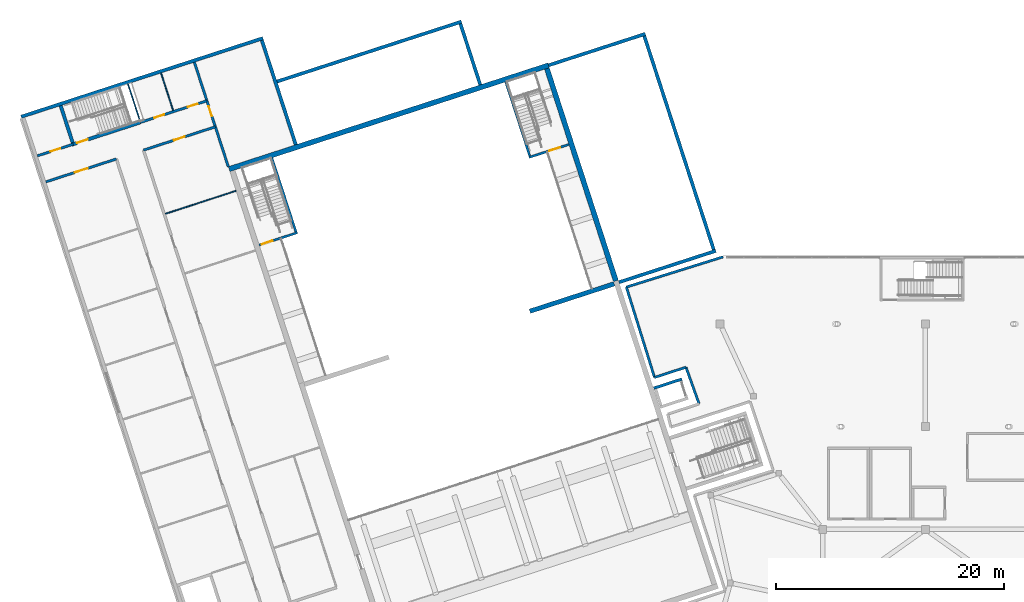
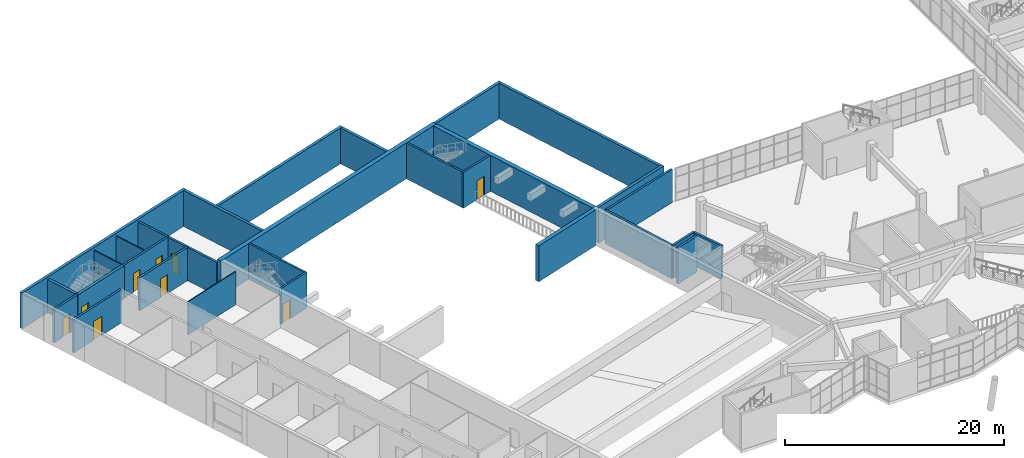
# One storey, part 54 of 66: 29 walls, 9 doors, 9 openings.
"""IFC4 building model written with IfcOpenShell, lengths in metres."""

from ifc_helpers import new_model, si_unit, direction, frame, frame_2d, origin, place, context, subcontext, project, spatial, rectangle, extrude, material, layer, layer_set, type_object, element, fill, save


model = new_model("IFC4")

# Units and contexts
model_context = context("Model", 3, precision=1e-05, world=origin(), true_north=direction((0.0, 1.0)))
body_context = subcontext(model_context, "Body", "Model", "MODEL_VIEW")
ifc_project = project(units=[si_unit("LENGTHUNIT", "METRE"), si_unit("AREAUNIT", "SQUARE_METRE"), si_unit("VOLUMEUNIT", "CUBIC_METRE"), si_unit("PLANEANGLEUNIT", "RADIAN"), si_unit("MASSUNIT", "GRAM", prefix="KILO")], contexts=[model_context])

# Site, building, storey
site_placement = place(None, origin())
site = spatial("IfcSite", under=ifc_project, at=site_placement, CompositionType="ELEMENT")
building_placement = place(site_placement, origin())
building = spatial("IfcBuilding", under=site, at=building_placement, Name="Tuart Plaza Theatre", CompositionType="ELEMENT")
storey_placement = place(building_placement, frame((0.0, 0.0, 5.5)))
storey = spatial("IfcBuildingStorey", under=building, at=storey_placement, Name="L01", CompositionType="ELEMENT", Elevation=5.5)

# Walls
ifc_material_1 = material(Name="Plasterboard on steel stud", Category="steel")
ifc_layer_1 = layer(ifc_material_1, 0.10009765625)
ifc_layer_set_1 = layer_set([ifc_layer_1], Name="PARTITION STD100")
wall_type_1 = type_object("IfcWallType", Name="PARTITION STD100", PredefinedType="PARTITIONING", material=ifc_layer_set_1)
wall_1_placement = place(storey_placement, frame((29.375, 83.665771484375, 0.0), z_axis=(0.0, 0.0, 1.0), x_axis=(0.951061602966, 0.309001338773, 0.0)))
element("IfcWall", 1, at=wall_1_placement, inside=storey, type_object=wall_type_1, Name="P246", PredefinedType="PARTITIONING", context=body_context, shape_type="SweptSolid", body=[
    extrude(rectangle(XDim=6.51513671875, YDim=0.10009765625, at=frame_2d((3.257568359375, 0.0))), origin(), (0.0, 0.0, 1.0), 3.699951171875),
])
wall_2_placement = place(storey_placement, frame((30.0478515625, 92.727294921875, 0.0), z_axis=(0.0, 0.0, 1.0), x_axis=(-0.309021877853, 0.951054929543, 0.0)))
element("IfcWall", 2, at=wall_2_placement, inside=storey, type_object=wall_type_1, Name="P249", PredefinedType="PARTITIONING", context=body_context, shape_type="SweptSolid", body=[
    extrude(rectangle(XDim=3.43994140625, YDim=0.10009765625, at=frame_2d((1.719970703125, 0.0))), origin(), (0.0, 0.0, 1.0), 3.699951171875),
])
ifc_material_2 = material(Name="Plasterboard on steel stud", Category="steel")
ifc_layer_2 = layer(ifc_material_2, 0.10009765625)
ifc_layer_set_2 = layer_set([ifc_layer_2], Name="PARTITION STD100 FRL 120/120/120")
wall_type_2 = type_object("IfcWallType", Name="PARTITION STD100 FRL 120/120/120", PredefinedType="PARTITIONING", material=ifc_layer_set_2)
wall_3_placement = place(storey_placement, frame((27.134765625, 91.82275390625, 0.0), z_axis=(0.0, 0.0, 1.0), x_axis=(-0.308980533303, 0.951068362443, 0.0)))
element("IfcWall", 3, at=wall_3_placement, inside=storey, type_object=wall_type_2, Name="P248", PredefinedType="PARTITIONING", context=body_context, shape_type="SweptSolid", body=[
    extrude(rectangle(XDim=3.39990234375, YDim=0.10009765625, at=frame_2d((1.699951171875, 0.0))), origin(), (0.0, 0.0, 1.0), 3.699951171875),
])
ifc_material_3 = material(Name="Concrete N40 (40 MPa)", Category="concrete")
ifc_layer_3 = layer(ifc_material_3, 0.25)
ifc_layer_set_3 = layer_set([ifc_layer_3], Name="SHEAR WALL RC250 FRL 120/120/120")
wall_type_3 = type_object("IfcWallType", Name="SHEAR WALL RC250 FRL 120/120/120", PredefinedType="SHEAR", material=ifc_layer_set_3)
wall_4_placement = place(storey_placement, frame((74.659423828125, 69.17529296875, 0.0), z_axis=(0.0, 0.0, 1.0), x_axis=(-0.951059595933, -0.309007516064, 0.0)))
element("IfcWall", 4, at=wall_4_placement, inside=storey, type_object=wall_type_3, Name="W234", PredefinedType="SHEAR", context=body_context, shape_type="SweptSolid", body=[
    extrude(rectangle(XDim=2.60009765625, YDim=0.25, at=frame_2d((1.300048828125, 0.0))), origin(), (0.0, 0.0, 1.0), 4.0),
])
ifc_material_4 = material(Name="Concrete N50 (50 MPa)", Category="concrete")
ifc_layer_4 = layer(ifc_material_4, 0.39990234375)
ifc_layer_set_4 = layer_set([ifc_layer_4], Name="SHEAR WALL RC400 N50 FRL 120/120/120")
wall_type_4 = type_object("IfcWallType", Name="SHEAR WALL RC400 N50 FRL 120/120/120", PredefinedType="SHEAR", material=ifc_layer_set_4)
wall_5_placement = place(storey_placement, frame((61.31982421875, 75.118896484375, 0.0), z_axis=(0.0, 0.0, 1.0), x_axis=(0.951055065909, 0.30902145817, 0.0)))
element("IfcWall", 5, at=wall_5_placement, inside=storey, type_object=wall_type_4, Name="W53", PredefinedType="SHEAR", context=body_context, shape_type="SweptSolid", body=[
    extrude(rectangle(XDim=7.77490234375, YDim=0.39990234375, at=frame_2d((3.887451171875, 0.0))), origin(), (0.0, 0.0, 1.0), 4.0),
])
ifc_material_5 = material(Name="Concrete N50 (50 MPa)", Category="concrete")
ifc_layer_5 = layer(ifc_material_5, 0.449951171875)
ifc_layer_set_5 = layer_set([ifc_layer_5], Name="SHEAR WALL RC450 N50 FRL 120/120/120")
wall_type_5 = type_object("IfcWallType", Name="SHEAR WALL RC450 N50 FRL 120/120/120", PredefinedType="SHEAR", material=ifc_layer_set_5)
wall_6_placement = place(storey_placement, frame((68.866455078125, 77.78125, 0.0), z_axis=(0.0, 0.0, 1.0), x_axis=(-0.309019798438, 0.951055605195, 0.0)))
element("IfcWall", 6, at=wall_6_placement, inside=storey, type_object=wall_type_5, Name="W45", PredefinedType="SHEAR", context=body_context, shape_type="SweptSolid", body=[
    extrude(rectangle(XDim=19.574951171875, YDim=0.449951171875, at=frame_2d((9.78759765625, 0.0))), origin(), (0.0, 0.0, 1.0), 4.0),
])
wall_7_placement = place(storey_placement, frame((34.953125, 87.581298828125, 0.0), z_axis=(0.0, 0.0, 1.0), x_axis=(0.951059165148, 0.309008841924, 0.0)))
element("IfcWall", 7, at=wall_7_placement, inside=storey, type_object=wall_type_5, Name="W46", PredefinedType="SHEAR", context=body_context, shape_type="SweptSolid", body=[
    extrude(rectangle(XDim=29.4501953125, YDim=0.449951171875, at=frame_2d((14.72509765625, 0.0))), origin(), (0.0, 0.0, 1.0), 4.0),
])

# Wall, opening, door
ifc_material_6 = material(Name="Concrete N40 (40 MPa)", Category="concrete")
ifc_layer_6 = layer(ifc_material_6, 0.199951171875)
ifc_layer_set_6 = layer_set([ifc_layer_6], Name="WALL RC200 LB FRL 120/120/120")
wall_type_6 = type_object("IfcWallType", Name="WALL RC200 LB FRL 120/120/120", PredefinedType="SOLIDWALL", material=ifc_layer_set_6)
wall_8_placement = place(storey_placement, frame((37.590576171875, 80.920166015625, 0.0), z_axis=(0.0, 0.0, 1.0), x_axis=(0.951052389726, 0.30902969436, 0.0)))
wall_8 = element("IfcWall", 8, at=wall_8_placement, inside=storey, type_object=wall_type_6, Name="W136", PredefinedType="SOLIDWALL", context=body_context, shape_type="SweptSolid", body=[
    extrude(rectangle(XDim=3.525146484375, YDim=0.199951171875, at=frame_2d((1.7626953125, 0.0))), origin(), (0.0, 0.0, 1.0), 4.0),
])
opening_1_placement = place(wall_8_placement, frame((0.22509765625, 0.0, 0.0)))
opening_1 = element("IfcOpeningElement", 9, at=opening_1_placement, cuts=wall_8, Name="Opening L01-028", PredefinedType="OPENING", context=body_context, shape_type="SweptSolid", body=[
    extrude(rectangle(XDim=1.0, YDim=2.10009765625, at=frame_2d((0.5, 1.050048828125))), frame((0.0, 0.10986328125, 0.0), z_axis=(0.0, -1.0, 0.0), x_axis=(1.0, 0.0, 0.0)), (0.0, 0.0, 1.0), 0.219970703125),
])
ifc_material_7 = material(Name="Timber", Category="wood")
door_type_1 = type_object("IfcDoorType", Name="DOOR 1000x2100 timber single swing FRL -/120/30", OperationType="SINGLE_SWING_LEFT", PredefinedType="DOOR", material=ifc_material_7)
door_1_placement = place(opening_1_placement, origin())
door_1 = element("IfcDoor", 10, at=door_1_placement, inside=storey, type_object=door_type_1, Name="L01-028", OperationType="SINGLE_SWING_LEFT", OverallHeight=2.10009765625, OverallWidth=1.0, PredefinedType="DOOR", context=body_context, shape_type="SweptSolid", body=[
    extrude(rectangle(XDim=1.0, YDim=2.10009765625, at=frame_2d((0.5, 1.050048828125))), frame((0.0, 0.02490234375, 0.0), z_axis=(0.0, -1.0, 0.0), x_axis=(1.0, 0.0, 0.0)), (0.0, 0.0, 1.0), 0.050048828125),
])
fill(opening_1, door_1)

# Wall
wall_9_placement = place(storey_placement, frame((40.817138671875, 82.07373046875, 0.0), z_axis=(0.0, 0.0, 1.0), x_axis=(-0.309028643499, 0.951052731186, 0.0)))
element("IfcWall", 11, at=wall_9_placement, inside=storey, type_object=wall_type_6, Name="W137", PredefinedType="SOLIDWALL", context=body_context, shape_type="SweptSolid", body=[
    extrude(rectangle(XDim=6.824951171875, YDim=0.199951171875, at=frame_2d((3.41259765625, 0.0))), origin(), (0.0, 0.0, 1.0), 4.0),
])

# Wall, opening, door
wall_10_placement = place(storey_placement, frame((64.743408203125, 89.74267578125, 0.0), z_axis=(0.0, 0.0, 1.0), x_axis=(-0.95104773735, -0.309044011885, 0.0)))
wall_10 = element("IfcWall", 12, at=wall_10_placement, inside=storey, type_object=wall_type_6, Name="W150", PredefinedType="SOLIDWALL", context=body_context, shape_type="SweptSolid", body=[
    extrude(rectangle(XDim=3.675048828125, YDim=0.199951171875, at=frame_2d((1.83740234375, 0.0))), origin(), (0.0, 0.0, 1.0), 4.0),
])
opening_2_placement = place(wall_10_placement, frame((0.824951171875, 0.0, 0.0)))
opening_2 = element("IfcOpeningElement", 13, at=opening_2_placement, cuts=wall_10, Name="Opening L01-029", PredefinedType="OPENING", context=body_context, shape_type="SweptSolid", body=[
    extrude(rectangle(XDim=1.0, YDim=2.10009765625, at=frame_2d((0.5, 1.050048828125))), frame((0.0, 0.10986328125, 0.0), z_axis=(0.0, -1.0, 0.0), x_axis=(1.0, 0.0, 0.0)), (0.0, 0.0, 1.0), 0.219970703125),
])
door_2_placement = place(opening_2_placement, frame((1.0, 0.0, 0.0), z_axis=(0.0, 0.0, 1.0), x_axis=(-1.0, 0.0, 0.0)))
door_2 = element("IfcDoor", 14, at=door_2_placement, inside=storey, type_object=door_type_1, Name="L01-029", OperationType="SINGLE_SWING_LEFT", OverallHeight=2.10009765625, OverallWidth=1.0, PredefinedType="DOOR", context=body_context, shape_type="SweptSolid", body=[
    extrude(rectangle(XDim=1.0, YDim=2.10009765625, at=frame_2d((0.5, 1.050048828125))), frame((0.0, 0.02490234375, 0.0), z_axis=(0.0, -1.0, 0.0), x_axis=(1.0, 0.0, 0.0)), (0.0, 0.0, 1.0), 0.050048828125),
])
fill(opening_2, door_2)

# Walls
wall_11_placement = place(storey_placement, frame((61.3125, 88.73291015625, 0.0), z_axis=(0.0, 0.0, 1.0), x_axis=(-0.309028643499, 0.951052731186, 0.0)))
element("IfcWall", 15, at=wall_11_placement, inside=storey, type_object=wall_type_6, Name="W151", PredefinedType="SOLIDWALL", context=body_context, shape_type="SweptSolid", body=[
    extrude(rectangle(XDim=6.824951171875, YDim=0.199951171875, at=frame_2d((3.41259765625, 0.0))), origin(), (0.0, 0.0, 1.0), 4.0),
])
ifc_material_8 = material(Name="Concrete N40 (40 MPa)", Category="concrete")
ifc_layer_7 = layer(ifc_material_8, 0.219970703125)
ifc_layer_set_7 = layer_set([ifc_layer_7], Name="WALL RC220 FRL 120/120/120")
wall_type_7 = type_object("IfcWallType", Name="WALL RC220 FRL 120/120/120", PredefinedType="SOLIDWALL", material=ifc_layer_set_7)
wall_12_placement = place(storey_placement, frame((76.15283203125, 67.005615234375, 0.0), z_axis=(0.0, 0.0, 1.0), x_axis=(-0.336845601427, 0.941559897616, 0.0)))
element("IfcWall", 16, at=wall_12_placement, inside=storey, type_object=wall_type_7, Name="P46", PredefinedType="SOLIDWALL", context=body_context, shape_type="SweptSolid", body=[
    extrude(rectangle(XDim=3.4013671875, YDim=0.219970703125, at=frame_2d((1.70068359375, 0.0))), origin(), (0.0, 0.0, 1.0), 3.699951171875),
])
wall_13_placement = place(storey_placement, frame((75.007080078125, 70.208251953125, 0.0), z_axis=(0.0, 0.0, 1.0), x_axis=(-0.951047059821, -0.309046096893, 0.0)))
element("IfcWall", 17, at=wall_13_placement, inside=storey, type_object=wall_type_7, Name="P47", PredefinedType="SOLIDWALL", context=body_context, shape_type="SweptSolid", body=[
    extrude(rectangle(XDim=2.89990234375, YDim=0.219970703125, at=frame_2d((1.449951171875, 0.0))), origin(), (0.0, 0.0, 1.0), 3.699951171875),
])
wall_14_placement = place(storey_placement, frame((72.2490234375, 69.31201171875, 0.0), z_axis=(0.0, 0.0, 1.0), x_axis=(-0.297531334915, 0.954712053314, 0.0)))
element("IfcWall", 18, at=wall_14_placement, inside=storey, type_object=wall_type_7, Name="P48", PredefinedType="SOLIDWALL", context=body_context, shape_type="SweptSolid", body=[
    extrude(rectangle(XDim=8.30078125, YDim=0.219970703125, at=frame_2d((4.150390625, 0.0))), origin(), (0.0, 0.0, 1.0), 3.699951171875),
])
wall_15_placement = place(storey_placement, frame((69.779296875, 77.23681640625, 0.0), z_axis=(0.0, 0.0, 1.0), x_axis=(0.954435963037, 0.298415804646, 0.0)))
element("IfcWall", 19, at=wall_15_placement, inside=storey, type_object=wall_type_7, Name="P49", PredefinedType="SOLIDWALL", context=body_context, shape_type="SweptSolid", body=[
    extrude(rectangle(XDim=8.884765625, YDim=0.219970703125, at=frame_2d((4.4423828125, 0.0))), origin(), (0.0, 0.0, 1.0), 3.699951171875),
])

# Wall, opening, door
ifc_material_9 = material(Name="Concrete N40 (40 MPa)", Category="concrete")
ifc_layer_8 = layer(ifc_material_9, 0.219970703125)
ifc_layer_set_8 = layer_set([ifc_layer_8], Name="WALL RC220 LB FRL 120/120/120")
wall_type_8 = type_object("IfcWallType", Name="WALL RC220 LB FRL 120/120/120", PredefinedType="SOLIDWALL", material=ifc_layer_set_8)
wall_16_placement = place(storey_placement, frame((18.8876953125, 86.4619140625, 0.0), z_axis=(0.0, 0.0, 1.0), x_axis=(0.951059735424, 0.30900708674, 0.0)))
wall_16 = element("IfcWall", 20, at=wall_16_placement, inside=storey, type_object=wall_type_8, Name="W516", PredefinedType="SOLIDWALL", context=body_context, shape_type="SweptSolid", body=[
    extrude(rectangle(XDim=6.5, YDim=0.219970703125, at=frame_2d((3.25, 0.0))), origin(), (0.0, 0.0, 1.0), 3.699951171875),
])
opening_3_placement = place(wall_16_placement, frame((2.64990234375, 0.0, 0.0)))
opening_3 = element("IfcOpeningElement", 21, at=opening_3_placement, cuts=wall_16, Name="Opening L01-018", PredefinedType="OPENING", context=body_context, shape_type="SweptSolid", body=[
    extrude(rectangle(XDim=1.199951171875, YDim=2.10009765625, at=frame_2d((0.60009765625, 1.050048828125))), frame((0.0, 0.119873046875, 0.0), z_axis=(0.0, -1.0, 0.0), x_axis=(1.0, 0.0, 0.0)), (0.0, 0.0, 1.0), 0.239990234375),
])
ifc_material_10 = material(Name="Timber", Category="wood")
door_type_2 = type_object("IfcDoorType", Name="DOOR 1200x2100 timber single swing FRL -/120/30", OperationType="SINGLE_SWING_LEFT", PredefinedType="DOOR", material=ifc_material_10)
door_3_placement = place(opening_3_placement, frame((1.199951171875, 0.0, 0.0), z_axis=(0.0, 0.0, 1.0), x_axis=(-1.0, 0.0, 0.0)))
door_3 = element("IfcDoor", 22, at=door_3_placement, inside=storey, type_object=door_type_2, Name="L01-018", OperationType="SINGLE_SWING_LEFT", OverallHeight=2.10009765625, OverallWidth=1.199951171875, PredefinedType="DOOR", context=body_context, shape_type="SweptSolid", body=[
    extrude(rectangle(XDim=1.199951171875, YDim=2.10009765625, at=frame_2d((0.60009765625, 1.050048828125))), frame((0.0, 0.02490234375, 0.0), z_axis=(0.0, -1.0, 0.0), x_axis=(1.0, 0.0, 0.0)), (0.0, 0.0, 1.0), 0.050048828125),
])
fill(opening_3, door_3)

wall_17_placement = place(storey_placement, frame((27.447265625, 89.2431640625, 0.0), z_axis=(0.0, 0.0, 1.0), x_axis=(0.951062229373, 0.308999410776, 0.0)))
wall_17 = element("IfcWall", 23, at=wall_17_placement, inside=storey, type_object=wall_type_8, Name="W517", PredefinedType="SOLIDWALL", context=body_context, shape_type="SweptSolid", body=[
    extrude(rectangle(XDim=6.625, YDim=0.219970703125, at=frame_2d((3.3125, 0.0))), origin(), (0.0, 0.0, 1.0), 3.699951171875),
])
opening_4_placement = place(wall_17_placement, frame((2.8125, 0.0, 0.0)))
opening_4 = element("IfcOpeningElement", 24, at=opening_4_placement, cuts=wall_17, Name="Opening L01-024", PredefinedType="OPENING", context=body_context, shape_type="SweptSolid", body=[
    extrude(rectangle(XDim=1.0, YDim=2.10009765625, at=frame_2d((0.5, 1.050048828125))), frame((0.0, 0.119873046875, 0.0), z_axis=(0.0, -1.0, 0.0), x_axis=(1.0, 0.0, 0.0)), (0.0, 0.0, 1.0), 0.239990234375),
])
door_4_placement = place(opening_4_placement, frame((1.0, 0.0, 0.0), z_axis=(0.0, 0.0, 1.0), x_axis=(-1.0, 0.0, 0.0)))
door_4 = element("IfcDoor", 25, at=door_4_placement, inside=storey, type_object=door_type_1, Name="L01-024", OperationType="SINGLE_SWING_LEFT", OverallHeight=2.10009765625, OverallWidth=1.0, PredefinedType="DOOR", context=body_context, shape_type="SweptSolid", body=[
    extrude(rectangle(XDim=1.0, YDim=2.10009765625, at=frame_2d((0.5, 1.050048828125))), frame((0.0, 0.02490234375, 0.0), z_axis=(0.0, -1.0, 0.0), x_axis=(1.0, 0.0, 0.0)), (0.0, 0.0, 1.0), 0.050048828125),
])
fill(opening_4, door_4)

wall_18_placement = place(storey_placement, frame((18.146240234375, 88.744384765625, 0.0), z_axis=(0.0, 0.0, 1.0), x_axis=(0.951053095941, 0.309027520945, 0.0)))
wall_18 = element("IfcWall", 26, at=wall_18_placement, inside=storey, type_object=wall_type_8, Name="W518", PredefinedType="SOLIDWALL", context=body_context, shape_type="SweptSolid", body=[
    extrude(rectangle(XDim=3.300048828125, YDim=0.219970703125, at=frame_2d((1.64990234375, 0.0))), origin(), (0.0, 0.0, 1.0), 3.699951171875),
])
opening_5_placement = place(wall_18_placement, frame((1.199951171875, 0.0, 0.0)))
opening_5 = element("IfcOpeningElement", 27, at=opening_5_placement, cuts=wall_18, Name="Opening L01-007", PredefinedType="OPENING", context=body_context, shape_type="SweptSolid", body=[
    extrude(rectangle(XDim=0.89990234375, YDim=2.10009765625, at=frame_2d((0.449951171875, 1.050048828125))), frame((0.0, 0.119873046875, 0.0), z_axis=(0.0, -1.0, 0.0), x_axis=(1.0, 0.0, 0.0)), (0.0, 0.0, 1.0), 0.239990234375),
])
ifc_material_11 = material(Name="Timber", Category="wood")
door_type_3 = type_object("IfcDoorType", Name="DOOR 900x2100 timber single swing FRL -/120/30", OperationType="SINGLE_SWING_LEFT", PredefinedType="DOOR", material=ifc_material_11)
door_5_placement = place(opening_5_placement, origin())
door_5 = element("IfcDoor", 28, at=door_5_placement, inside=storey, type_object=door_type_3, Name="L01-007", OperationType="SINGLE_SWING_LEFT", OverallHeight=2.10009765625, OverallWidth=0.89990234375, PredefinedType="DOOR", context=body_context, shape_type="SweptSolid", body=[
    extrude(rectangle(XDim=0.89990234375, YDim=2.10009765625, at=frame_2d((0.449951171875, 1.050048828125))), frame((0.0, 0.02490234375, 0.0), z_axis=(0.0, -1.0, 0.0), x_axis=(1.0, 0.0, 0.0)), (0.0, 0.0, 1.0), 0.050048828125),
])
fill(opening_5, door_5)

# Wall, openings, doors
wall_19_placement = place(storey_placement, frame((27.18115234375, 91.68017578125, 0.0), z_axis=(0.0, 0.0, 1.0), x_axis=(0.951063356831, 0.308995940577, 0.0)))
wall_19 = element("IfcWall", 29, at=wall_19_placement, inside=storey, type_object=wall_type_8, Name="W519", PredefinedType="SOLIDWALL", context=body_context, shape_type="SweptSolid", body=[
    extrude(rectangle(XDim=6.125, YDim=0.219970703125, at=frame_2d((3.0625, 0.0))), origin(), (0.0, 0.0, 1.0), 3.699951171875),
])
opening_6_placement = place(wall_19_placement, frame((1.29296875, 0.0, 0.0)))
opening_6 = element("IfcOpeningElement", 30, at=opening_6_placement, cuts=wall_19, Name="Opening L01-008", PredefinedType="OPENING", context=body_context, shape_type="SweptSolid", body=[
    extrude(rectangle(XDim=0.89990234375, YDim=2.10009765625, at=frame_2d((0.449951171875, 1.050048828125))), frame((0.0, 0.119873046875, 0.0), z_axis=(0.0, -1.0, 0.0), x_axis=(1.0, 0.0, 0.0)), (0.0, 0.0, 1.0), 0.239990234375),
])
opening_7_placement = place(wall_19_placement, frame((4.357177734375, 0.0, 0.0)))
opening_7 = element("IfcOpeningElement", 31, at=opening_7_placement, cuts=wall_19, Name="Opening L01-009", PredefinedType="OPENING", context=body_context, shape_type="SweptSolid", body=[
    extrude(rectangle(XDim=0.89990234375, YDim=2.10009765625, at=frame_2d((0.449951171875, 1.050048828125))), frame((0.0, 0.119873046875, 0.0), z_axis=(0.0, -1.0, 0.0), x_axis=(1.0, 0.0, 0.0)), (0.0, 0.0, 1.0), 0.239990234375),
])
door_6_placement = place(opening_6_placement, origin())
door_6 = element("IfcDoor", 32, at=door_6_placement, inside=storey, type_object=door_type_3, Name="L01-008", OperationType="SINGLE_SWING_RIGHT", OverallHeight=2.10009765625, OverallWidth=0.89990234375, PredefinedType="DOOR", context=body_context, shape_type="SweptSolid", body=[
    extrude(rectangle(XDim=0.89990234375, YDim=2.10009765625, at=frame_2d((0.449951171875, 1.050048828125))), frame((0.0, 0.02490234375, 0.0), z_axis=(0.0, -1.0, 0.0), x_axis=(1.0, 0.0, 0.0)), (0.0, 0.0, 1.0), 0.050048828125),
])
fill(opening_6, door_6)
door_7_placement = place(opening_7_placement, origin())
door_7 = element("IfcDoor", 33, at=door_7_placement, inside=storey, type_object=door_type_3, Name="L01-009", OperationType="SINGLE_SWING_LEFT", OverallHeight=2.10009765625, OverallWidth=0.89990234375, PredefinedType="DOOR", context=body_context, shape_type="SweptSolid", body=[
    extrude(rectangle(XDim=0.89990234375, YDim=2.10009765625, at=frame_2d((0.449951171875, 1.050048828125))), frame((0.0, 0.02490234375, 0.0), z_axis=(0.0, -1.0, 0.0), x_axis=(1.0, 0.0, 0.0)), (0.0, 0.0, 1.0), 0.050048828125),
])
fill(opening_7, door_7)

# Wall, opening, door
wall_20_placement = place(storey_placement, frame((34.8837890625, 87.795166015625, 0.0), z_axis=(0.0, 0.0, 1.0), x_axis=(-0.309027569133, 0.951053080283, 0.0)))
wall_20 = element("IfcWall", 34, at=wall_20_placement, inside=storey, type_object=wall_type_8, Name="W520", PredefinedType="SOLIDWALL", context=body_context, shape_type="SweptSolid", body=[
    extrude(rectangle(XDim=9.625, YDim=0.219970703125, at=frame_2d((4.8125, 0.0))), origin(), (0.0, 0.0, 1.0), 3.699951171875),
])
opening_8_placement = place(wall_20_placement, frame((4.6650390625, 0.0, 0.0)))
opening_8 = element("IfcOpeningElement", 35, at=opening_8_placement, cuts=wall_20, Name="Opening L01-010", PredefinedType="OPENING", context=body_context, shape_type="SweptSolid", body=[
    extrude(rectangle(XDim=0.89990234375, YDim=2.10009765625, at=frame_2d((0.449951171875, 1.050048828125))), frame((0.0, 0.119873046875, 0.0), z_axis=(0.0, -1.0, 0.0), x_axis=(1.0, 0.0, 0.0)), (0.0, 0.0, 1.0), 0.239990234375),
])
door_8_placement = place(opening_8_placement, frame((0.89990234375, 0.0, 0.0), z_axis=(0.0, 0.0, 1.0), x_axis=(-1.0, 0.0, 0.0)))
door_8 = element("IfcDoor", 36, at=door_8_placement, inside=storey, type_object=door_type_3, Name="L01-010", OperationType="SINGLE_SWING_LEFT", OverallHeight=2.10009765625, OverallWidth=0.89990234375, PredefinedType="DOOR", context=body_context, shape_type="SweptSolid", body=[
    extrude(rectangle(XDim=0.89990234375, YDim=2.10009765625, at=frame_2d((0.449951171875, 1.050048828125))), frame((0.0, 0.02490234375, 0.0), z_axis=(0.0, -1.0, 0.0), x_axis=(1.0, 0.0, 0.0)), (0.0, 0.0, 1.0), 0.050048828125),
])
fill(opening_8, door_8)

# Walls
ifc_material_12 = material(Name="Concrete N40 (40 MPa)", Category="concrete")
ifc_layer_9 = layer(ifc_material_12, 0.300048828125)
ifc_layer_set_9 = layer_set([ifc_layer_9], Name="WALL RC300 LB FRL 120/120/120")
wall_type_9 = type_object("IfcWallType", Name="WALL RC300 LB FRL 120/120/120", PredefinedType="SOLIDWALL", material=ifc_layer_set_9)
wall_21_placement = place(storey_placement, frame((16.717529296875, 92.170654296875, 0.0), z_axis=(0.0, 0.0, 1.0), x_axis=(0.951055789165, 0.309019232243, 0.0)))
element("IfcWall", 37, at=wall_21_placement, inside=storey, type_object=wall_type_9, Name="W67", PredefinedType="SOLIDWALL", context=body_context, shape_type="SweptSolid", body=[
    extrude(rectangle(XDim=22.300048828125, YDim=0.300048828125, at=frame_2d((11.14990234375, 0.0))), origin(), (0.0, 0.0, 1.0), 4.0),
])
wall_22_placement = place(storey_placement, frame((37.82958984375, 98.872802734375, 0.0), z_axis=(0.0, 0.0, 1.0), x_axis=(0.30902011435, -0.951055502548, 0.0)))
element("IfcWall", 38, at=wall_22_placement, inside=storey, type_object=wall_type_9, Name="W68", PredefinedType="SOLIDWALL", context=body_context, shape_type="SweptSolid", body=[
    extrude(rectangle(XDim=9.625244140625, YDim=0.300048828125, at=frame_2d((4.8125, 0.0))), origin(), (0.0, 0.0, 1.0), 4.0),
])
wall_23_placement = place(storey_placement, frame((39.162109375, 95.257568359375, 0.0), z_axis=(0.0, 0.0, 1.0), x_axis=(0.951058550479, 0.309010733732, 0.0)))
element("IfcWall", 39, at=wall_23_placement, inside=storey, type_object=wall_type_9, Name="W69", PredefinedType="SOLIDWALL", context=body_context, shape_type="SweptSolid", body=[
    extrude(rectangle(XDim=17.0, YDim=0.300048828125, at=frame_2d((8.5, 0.0))), origin(), (0.0, 0.0, 1.0), 4.0),
])
wall_24_placement = place(storey_placement, frame((55.233642578125, 100.32177734375, 0.0), z_axis=(0.0, 0.0, 1.0), x_axis=(0.309031112369, -0.951051928965, 0.0)))
element("IfcWall", 40, at=wall_24_placement, inside=storey, type_object=wall_type_9, Name="W70", PredefinedType="SOLIDWALL", context=body_context, shape_type="SweptSolid", body=[
    extrude(rectangle(XDim=5.625, YDim=0.300048828125, at=frame_2d((2.8125, 0.0))), origin(), (0.0, 0.0, 1.0), 4.0),
])
wall_25_placement = place(storey_placement, frame((69.14208984375, 77.66064453125, 0.0), z_axis=(0.0, 0.0, 1.0), x_axis=(0.95105497274, 0.30902174491, 0.0)))
element("IfcWall", 41, at=wall_25_placement, inside=storey, type_object=wall_type_9, Name="W80", PredefinedType="SOLIDWALL", context=body_context, shape_type="SweptSolid", body=[
    extrude(rectangle(XDim=8.925048828125, YDim=0.300048828125, at=frame_2d((4.46240234375, 0.0))), origin(), (0.0, 0.0, 1.0), 4.0),
])
wall_26_placement = place(storey_placement, frame((77.44140625, 80.514892578125, 0.0), z_axis=(0.0, 0.0, 1.0), x_axis=(-0.309017136418, 0.951056470143, 0.0)))
element("IfcWall", 42, at=wall_26_placement, inside=storey, type_object=wall_type_9, Name="W81", PredefinedType="SOLIDWALL", context=body_context, shape_type="SweptSolid", body=[
    extrude(rectangle(XDim=19.699951171875, YDim=0.300048828125, at=frame_2d((9.85009765625, 0.0))), origin(), (0.0, 0.0, 1.0), 4.0),
])
wall_27_placement = place(storey_placement, frame((71.449951171875, 99.439697265625, 0.0), z_axis=(0.0, 0.0, 1.0), x_axis=(-0.951052360452, -0.309029784452, 0.0)))
element("IfcWall", 43, at=wall_27_placement, inside=storey, type_object=wall_type_9, Name="W82", PredefinedType="SOLIDWALL", context=body_context, shape_type="SweptSolid", body=[
    extrude(rectangle(XDim=8.9248046875, YDim=0.300048828125, at=frame_2d((4.46240234375, 0.0))), origin(), (0.0, 0.0, 1.0), 4.0),
])

# Wall, opening, door
wall_28_placement = place(storey_placement, frame((27.18115234375, 91.68017578125, 0.0), z_axis=(0.0, 0.0, 1.0), x_axis=(-0.951051301895, -0.309033042189, 0.0)))
wall_28 = element("IfcWall", 44, at=wall_28_placement, inside=storey, type_object=wall_type_9, Name="W117", PredefinedType="SOLIDWALL", context=body_context, shape_type="SweptSolid", body=[
    extrude(rectangle(XDim=6.35009765625, YDim=0.300048828125, at=frame_2d((3.175048828125, 0.0))), origin(), (0.0, 0.0, 1.0), 3.699951171875),
])
opening_9_placement = place(wall_28_placement, frame((4.85009765625, 0.0, 0.0)))
opening_9 = element("IfcOpeningElement", 45, at=opening_9_placement, cuts=wall_28, Name="Opening L01-026", PredefinedType="OPENING", context=body_context, shape_type="SweptSolid", body=[
    extrude(rectangle(XDim=1.0, YDim=2.10009765625, at=frame_2d((0.5, 1.050048828125))), frame((0.0, 0.159912109375, 0.0), z_axis=(0.0, -1.0, 0.0), x_axis=(1.0, 0.0, 0.0)), (0.0, 0.0, 1.0), 0.320068359375),
])
door_9_placement = place(opening_9_placement, frame((1.0, 0.0, 0.0), z_axis=(0.0, 0.0, 1.0), x_axis=(-1.0, 0.0, 0.0)))
door_9 = element("IfcDoor", 46, at=door_9_placement, inside=storey, type_object=door_type_1, Name="L01-026", OperationType="SINGLE_SWING_RIGHT", OverallHeight=2.10009765625, OverallWidth=1.0, PredefinedType="DOOR", context=body_context, shape_type="SweptSolid", body=[
    extrude(rectangle(XDim=1.0, YDim=2.10009765625, at=frame_2d((0.5, 1.050048828125))), frame((0.0, 0.02490234375, 0.0), z_axis=(0.0, -1.0, 0.0), x_axis=(1.0, 0.0, 0.0)), (0.0, 0.0, 1.0), 0.050048828125),
])
fill(opening_9, door_9)

# Wall
wall_29_placement = place(storey_placement, frame((21.23828125, 89.906982421875, 0.0), z_axis=(0.0, 0.0, 1.0), x_axis=(-0.309066587596, 0.951040401051, 0.0)))
element("IfcWall", 47, at=wall_29_placement, inside=storey, type_object=wall_type_9, Name="W118", PredefinedType="SOLIDWALL", context=body_context, shape_type="SweptSolid", body=[
    extrude(rectangle(XDim=3.39990234375, YDim=0.300048828125, at=frame_2d((1.699951171875, 0.0))), origin(), (0.0, 0.0, 1.0), 3.699951171875),
])

save(model, "model.ifc")
